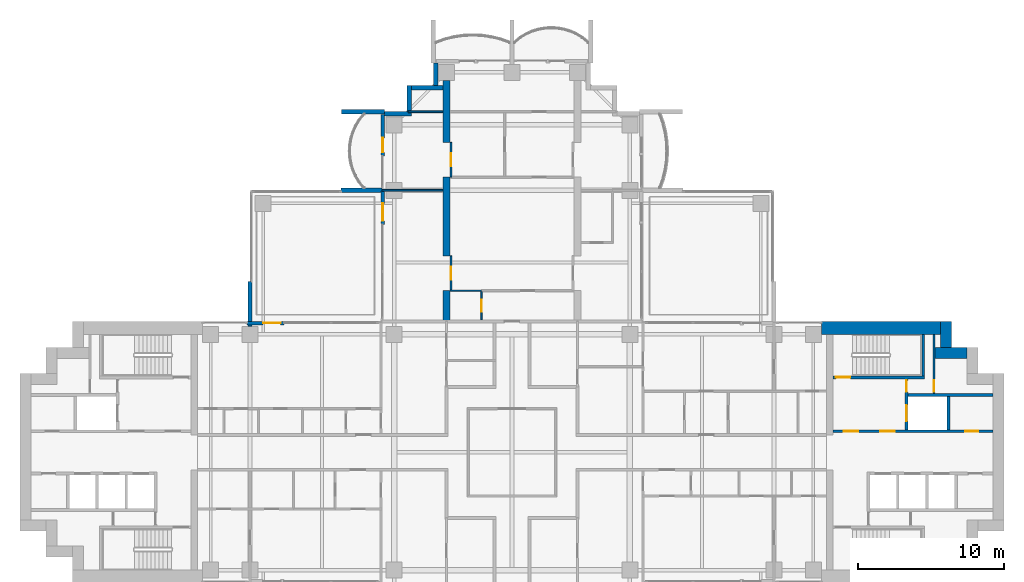
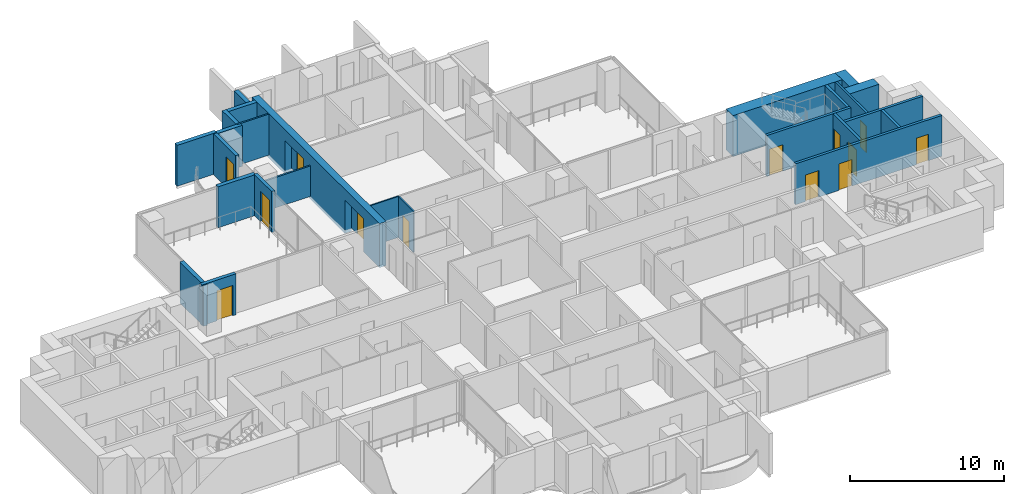
# One storey, part 13 of 18: 27 walls, 13 doors, 13 openings.
"""IFC4 building model written with IfcOpenShell, lengths in metres."""

from ifc_helpers import new_model, si_unit, direction, frame, frame_2d, origin, place, context, subcontext, project, spatial, polyline, rectangle, outline, extrude, material, layer, layer_set, material_profile, profile_set, type_object, element, fill, save


model = new_model("IFC4")

# Units and contexts
model_context = context("Model", 3, precision=1e-05, world=origin(), true_north=direction((0.0, 1.0)))
body_context = subcontext(model_context, "Body", "Model", "MODEL_VIEW")
ifc_project = project(units=[si_unit("LENGTHUNIT", "METRE"), si_unit("AREAUNIT", "SQUARE_METRE"), si_unit("VOLUMEUNIT", "CUBIC_METRE"), si_unit("PLANEANGLEUNIT", "RADIAN"), si_unit("MASSUNIT", "GRAM", prefix="KILO")], contexts=[model_context])

# Site, building, storey
site_placement = place(None, origin())
site = spatial("IfcSite", under=ifc_project, at=site_placement, CompositionType="ELEMENT")
building_placement = place(site_placement, origin())
building = spatial("IfcBuilding", under=site, at=building_placement, Name="Perihelion Cross Residences", CompositionType="ELEMENT")
storey_placement = place(building_placement, frame((0.0, 0.0, 123.39990234375)))
storey = spatial("IfcBuildingStorey", under=building, at=storey_placement, Name="L29", CompositionType="ELEMENT", Elevation=123.39990234375)

# Wall, opening, door
ifc_material_1 = material(Name="Concrete C30/37, bronze-clad", Category="concrete")
ifc_layer_1 = layer(ifc_material_1, 0.25)
ifc_layer_set_1 = layer_set([ifc_layer_1], Name="Bronze-clad pier wall 250")
wall_type_1 = type_object("IfcWallType", Name="Bronze-clad pier wall 250", PredefinedType="SOLIDWALL", material=ifc_layer_set_1)
wall_1_placement = place(storey_placement, frame((-8.875, 23.199951171875, 0.0), z_axis=(0.0, 0.0, 1.0), x_axis=(0.0, -1.0, 0.0)))
wall_1 = element("IfcWall", 1, at=wall_1_placement, inside=storey, type_object=wall_type_1, Name="Wall FW1 L29 north side west bay 1 pier", PredefinedType="SOLIDWALL", context=body_context, shape_type="SweptSolid", body=[
    extrude(rectangle(XDim=2.849853515625, YDim=0.25, at=frame_2d((1.4248046875, 0.0))), origin(), (0.0, 0.0, 1.0), 3.25),
])
opening_1_placement = place(wall_1_placement, frame((1.60009765625, 0.0, 0.0)))
opening_1 = element("IfcOpeningElement", 2, at=opening_1_placement, cuts=wall_1, Name="Opening L29.E06", PredefinedType="OPENING", context=body_context, shape_type="SweptSolid", body=[
    extrude(rectangle(XDim=1.0, YDim=2.39990234375, at=frame_2d((0.5, 1.199951171875))), frame((0.0, 0.135009765625, 0.0), z_axis=(0.0, -1.0, 0.0), x_axis=(1.0, 0.0, 0.0)), (0.0, 0.0, 1.0), 0.27001953125),
])
ifc_material_2 = material(Name="Bronze anodised aluminium, glazed", Category="aluminium")
door_type_1 = type_object("IfcDoorType", Name="Balcony door 1000 x 2400", OperationType="NOTDEFINED", PredefinedType="DOOR", material=ifc_material_2)
door_1_placement = place(opening_1_placement, origin())
door_1 = element("IfcDoor", 3, at=door_1_placement, inside=storey, type_object=door_type_1, Name="Door L29.E06 north side west bay 1", OperationType="SINGLE_SWING_LEFT", OverallHeight=2.39990234375, OverallWidth=1.0, PredefinedType="DOOR", context=body_context, shape_type="SweptSolid", body=[
    extrude(rectangle(XDim=1.0, YDim=2.39990234375, at=frame_2d((0.5, 1.199951171875))), frame((0.0, 0.02490234375, 0.0), z_axis=(0.0, -1.0, 0.0), x_axis=(1.0, 0.0, 0.0)), (0.0, 0.0, 1.0), 0.050048828125),
])
fill(opening_1, door_1)

wall_2_placement = place(storey_placement, frame((-8.875, 17.93994140625, 0.0), z_axis=(0.0, 0.0, 1.0), x_axis=(0.0, -1.0, 0.0)))
wall_2 = element("IfcWall", 4, at=wall_2_placement, inside=storey, type_object=wall_type_1, Name="Wall FW1 L29 north side west bay 2 pier", PredefinedType="SOLIDWALL", context=body_context, shape_type="SweptSolid", body=[
    extrude(rectangle(XDim=2.2900390625, YDim=0.25, at=frame_2d((1.14501953125, 0.0))), origin(), (0.0, 0.0, 1.0), 3.25),
])
opening_2_placement = place(wall_2_placement, frame((0.840087890625, 0.0, 0.0)))
opening_2 = element("IfcOpeningElement", 5, at=opening_2_placement, cuts=wall_2, Name="Opening L29.E07", PredefinedType="OPENING", context=body_context, shape_type="SweptSolid", body=[
    extrude(rectangle(XDim=1.199951171875, YDim=2.39990234375, at=frame_2d((0.60009765625, 1.199951171875))), frame((0.0, 0.135009765625, 0.0), z_axis=(0.0, -1.0, 0.0), x_axis=(1.0, 0.0, 0.0)), (0.0, 0.0, 1.0), 0.27001953125),
])
ifc_material_3 = material(Name="Bronze anodised aluminium, glazed", Category="aluminium")
door_type_2 = type_object("IfcDoorType", Name="Balcony door 1200 x 2400", OperationType="NOTDEFINED", PredefinedType="DOOR", material=ifc_material_3)
door_2_placement = place(opening_2_placement, origin())
door_2 = element("IfcDoor", 6, at=door_2_placement, inside=storey, type_object=door_type_2, Name="Door L29.E07 north side west bay 2", OperationType="SINGLE_SWING_RIGHT", OverallHeight=2.39990234375, OverallWidth=1.199951171875, PredefinedType="DOOR", context=body_context, shape_type="SweptSolid", body=[
    extrude(rectangle(XDim=1.199951171875, YDim=2.39990234375, at=frame_2d((0.60009765625, 1.199951171875))), frame((0.0, 0.02490234375, 0.0), z_axis=(0.0, -1.0, 0.0), x_axis=(1.0, 0.0, 0.0)), (0.0, 0.0, 1.0), 0.050048828125),
])
fill(opening_2, door_2)

wall_3_placement = place(storey_placement, frame((-15.64990234375, 8.875, 0.0), z_axis=(0.0, 0.0, 1.0), x_axis=(-1.0, 0.0, 0.0)))
wall_3 = element("IfcWall", 7, at=wall_3_placement, inside=storey, type_object=wall_type_1, Name="Wall FW1 L29 west side north bay 1 pier", PredefinedType="SOLIDWALL", context=body_context, shape_type="SweptSolid", body=[
    extrude(rectangle(XDim=2.550048828125, YDim=0.25, at=frame_2d((1.27490234375, 0.0))), origin(), (0.0, 0.0, 1.0), 3.25),
])
opening_3_placement = place(wall_3_placement, frame((0.25, 0.0, 0.0)))
opening_3 = element("IfcOpeningElement", 8, at=opening_3_placement, cuts=wall_3, Name="Opening L29.E08", PredefinedType="OPENING", context=body_context, shape_type="SweptSolid", body=[
    extrude(rectangle(XDim=1.199951171875, YDim=2.39990234375, at=frame_2d((0.60009765625, 1.199951171875))), frame((0.0, 0.135009765625, 0.0), z_axis=(0.0, -1.0, 0.0), x_axis=(1.0, 0.0, 0.0)), (0.0, 0.0, 1.0), 0.27001953125),
])
door_3_placement = place(opening_3_placement, origin())
door_3 = element("IfcDoor", 9, at=door_3_placement, inside=storey, type_object=door_type_2, Name="Door L29.E08 west side north bay 1", OperationType="SINGLE_SWING_LEFT", OverallHeight=2.39990234375, OverallWidth=1.199951171875, PredefinedType="DOOR", context=body_context, shape_type="SweptSolid", body=[
    extrude(rectangle(XDim=1.199951171875, YDim=2.39990234375, at=frame_2d((0.60009765625, 1.199951171875))), frame((0.0, 0.02490234375, 0.0), z_axis=(0.0, -1.0, 0.0), x_axis=(1.0, 0.0, 0.0)), (0.0, 0.0, 1.0), 0.050048828125),
])
fill(opening_3, door_3)

# Walls
ifc_material_4 = material(Name="Concrete C30/37, bronze-clad", Category="concrete")
ifc_layer_2 = layer(ifc_material_4, 0.300048828125)
ifc_layer_set_2 = layer_set([ifc_layer_2], Name="Bronze-clad serration wall 300")
wall_type_2 = type_object("IfcWallType", Name="Bronze-clad serration wall 300", PredefinedType="SOLIDWALL", material=ifc_layer_set_2)
wall_4_placement = place(storey_placement, frame((-5.25, 26.75, 0.0), z_axis=(0.0, 0.0, 1.0), x_axis=(0.0, -1.0, 0.0)))
element("IfcWall", 10, at=wall_4_placement, inside=storey, type_object=wall_type_2, Name="Wall SR1 L29 north corner north-west 1", PredefinedType="SOLIDWALL", context=body_context, shape_type="SweptSolid", body=[
    extrude(rectangle(XDim=1.550048828125, YDim=0.300048828125, at=frame_2d((0.77490234375, 0.0))), origin(), (0.0, 0.0, 1.0), 3.25),
])
wall_5_placement = place(storey_placement, frame((-4.75, 25.050048828125, 0.0), z_axis=(0.0, 0.0, 1.0), x_axis=(-1.0, 0.0, 0.0)))
element("IfcWall", 11, at=wall_5_placement, inside=storey, type_object=wall_type_2, Name="Wall SR1 L29 north corner north-west 2", PredefinedType="SOLIDWALL", context=body_context, shape_type="SweptSolid", body=[
    extrude(rectangle(XDim=2.14990234375, YDim=0.300048828125, at=frame_2d((1.074951171875, 0.0))), origin(), (0.0, 0.0, 1.0), 3.25),
])
wall_6_placement = place(storey_placement, frame((-7.050048828125, 25.199951171875, 0.0), z_axis=(0.0, 0.0, 1.0), x_axis=(0.0, -1.0, 0.0)))
element("IfcWall", 12, at=wall_6_placement, inside=storey, type_object=wall_type_2, Name="Wall SR1 L29 north corner north-west 3", PredefinedType="SOLIDWALL", context=body_context, shape_type="SweptSolid", body=[
    extrude(rectangle(XDim=1.800048828125, YDim=0.300048828125, at=frame_2d((0.89990234375, 0.0))), origin(), (0.0, 0.0, 1.0), 3.25),
])
wall_7_placement = place(storey_placement, frame((-6.89990234375, 23.25, 0.0), z_axis=(0.0, 0.0, 1.0), x_axis=(-1.0, 0.0, 0.0)))
element("IfcWall", 13, at=wall_7_placement, inside=storey, type_object=wall_type_2, Name="Wall SR1 L29 north corner north-west 4", PredefinedType="SOLIDWALL", context=body_context, shape_type="SweptSolid", body=[
    extrude(rectangle(XDim=1.85009765625, YDim=0.300048828125, at=frame_2d((0.925048828125, 0.0))), origin(), (0.0, 0.0, 1.0), 3.25),
])
ifc_material_5 = material(Name="Concrete C60/75", Category="concrete")
ifc_layer_3 = layer(ifc_material_5, 0.75)
ifc_layer_set_3 = layer_set([ifc_layer_3], Name="Core wall, outer 750")
wall_type_3 = type_object("IfcWallType", Name="Core wall, outer 750", PredefinedType="SHEAR", material=ifc_layer_set_3)
wall_8_placement = place(storey_placement, frame((29.074951171875, 6.824951171875, 0.0), z_axis=(0.0, 0.0, 1.0), x_axis=(1.0, 0.0, 0.0)))
element("IfcWall", 14, at=wall_8_placement, inside=storey, type_object=wall_type_3, Name="East core core wall, outer", PredefinedType="SHEAR", context=body_context, shape_type="SweptSolid", body=[
    extrude(rectangle(XDim=2.175048828125, YDim=0.75, at=frame_2d((1.08740234375, 0.0))), origin(), (0.0, 0.0, 1.0), 3.25),
])
wall_9_placement = place(storey_placement, frame((29.824951171875, 7.199951171875, 0.0), z_axis=(0.0, 0.0, 1.0), x_axis=(0.0, 1.0, 0.0)))
element("IfcWall", 15, at=wall_9_placement, inside=storey, type_object=wall_type_3, Name="East core core wall, outer", PredefinedType="SHEAR", context=body_context, shape_type="SweptSolid", body=[
    extrude(rectangle(XDim=1.800048828125, YDim=0.75, at=frame_2d((0.89990234375, 0.0))), origin(), (0.0, 0.0, 1.0), 3.25),
])
ifc_material_6 = material(Name="Concrete C60/75", Category="concrete")
ifc_layer_4 = layer(ifc_material_6, 0.89990234375)
ifc_layer_set_4 = layer_set([ifc_layer_4], Name="Core wall, outer 900")
wall_type_4 = type_object("IfcWallType", Name="Core wall, outer 900", PredefinedType="SHEAR", material=ifc_layer_set_4)
wall_10_placement = place(storey_placement, frame((21.25, 8.550048828125, 0.0), z_axis=(0.0, 0.0, 1.0), x_axis=(1.0, 0.0, 0.0)))
element("IfcWall", 16, at=wall_10_placement, inside=storey, type_object=wall_type_4, Name="East core core wall, outer", PredefinedType="SHEAR", context=body_context, shape_type="SweptSolid", body=[
    extrude(rectangle(XDim=8.199951171875, YDim=0.89990234375, at=frame_2d((4.10009765625, 0.0))), origin(), (0.0, 0.0, 1.0), 3.25),
])

# Wall, opening, door
ifc_material_7 = material(Name="Plasterboard partition")
ifc_layer_5 = layer(ifc_material_7, 0.1201171875)
ifc_layer_set_5 = layer_set([ifc_layer_5], Name="Infill panel 120")
wall_type_5 = type_object("IfcWallType", Name="Infill panel 120", PredefinedType="PARTITIONING", material=ifc_layer_set_5)
wall_11_placement = place(storey_placement, frame((-4.18994140625, 11.10009765625, 0.0), z_axis=(0.0, 0.0, 1.0), x_axis=(0.0, 1.0, 0.0)))
wall_11 = element("IfcWall", 17, at=wall_11_placement, inside=storey, type_object=wall_type_5, Name="Partition L29 WI03", PredefinedType="PARTITIONING", context=body_context, shape_type="SweptSolid", body=[
    extrude(rectangle(XDim=2.39990234375, YDim=0.1201171875, at=frame_2d((1.199951171875, 0.0))), origin(), (0.0, 0.0, 1.0), 2.400146484375),
])
opening_4_placement = place(wall_11_placement, frame((0.75, 0.0, 0.0)))
opening_4 = element("IfcOpeningElement", 18, at=opening_4_placement, cuts=wall_11, Name="Opening L29.A51", PredefinedType="OPENING", context=body_context, shape_type="SweptSolid", body=[
    extrude(rectangle(XDim=0.89990234375, YDim=2.10009765625, at=frame_2d((0.449951171875, 1.050048828125))), frame((0.0, 0.070068359375, 0.0), z_axis=(0.0, -1.0, 0.0), x_axis=(1.0, 0.0, 0.0)), (0.0, 0.0, 1.0), 0.14013671875),
])
ifc_material_8 = material(Name="Timber door leaf", Category="wood")
door_type_3 = type_object("IfcDoorType", Name="Interior room door 900 x 2100", OperationType="SINGLE_SWING_LEFT", PredefinedType="DOOR", material=ifc_material_8)
door_4_placement = place(opening_4_placement, origin())
door_4 = element("IfcDoor", 19, at=door_4_placement, inside=storey, type_object=door_type_3, Name="Door L29.A51", OperationType="SINGLE_SWING_RIGHT", OverallHeight=2.10009765625, OverallWidth=0.89990234375, PredefinedType="DOOR", context=body_context, shape_type="SweptSolid", body=[
    extrude(rectangle(XDim=0.89990234375, YDim=2.10009765625, at=frame_2d((0.449951171875, 1.050048828125))), frame((0.0, 0.02490234375, 0.0), z_axis=(0.0, -1.0, 0.0), x_axis=(1.0, 0.0, 0.0)), (0.0, 0.0, 1.0), 0.050048828125),
])
fill(opening_4, door_4)

wall_12_placement = place(storey_placement, frame((-4.18994140625, 18.89990234375, 0.0), z_axis=(0.0, 0.0, 1.0), x_axis=(0.0, 1.0, 0.0)))
wall_12 = element("IfcWall", 20, at=wall_12_placement, inside=storey, type_object=wall_type_5, Name="Partition L29 WI04", PredefinedType="PARTITIONING", context=body_context, shape_type="SweptSolid", body=[
    extrude(rectangle(XDim=2.400146484375, YDim=0.1201171875, at=frame_2d((1.2001953125, 0.0))), origin(), (0.0, 0.0, 1.0), 2.400146484375),
])
opening_5_placement = place(wall_12_placement, frame((0.75, 0.0, 0.0)))
opening_5 = element("IfcOpeningElement", 21, at=opening_5_placement, cuts=wall_12, Name="Opening L29.A52", PredefinedType="OPENING", context=body_context, shape_type="SweptSolid", body=[
    extrude(rectangle(XDim=0.89990234375, YDim=2.10009765625, at=frame_2d((0.449951171875, 1.050048828125))), frame((0.0, 0.070068359375, 0.0), z_axis=(0.0, -1.0, 0.0), x_axis=(1.0, 0.0, 0.0)), (0.0, 0.0, 1.0), 0.14013671875),
])
door_5_placement = place(opening_5_placement, origin())
door_5 = element("IfcDoor", 22, at=door_5_placement, inside=storey, type_object=door_type_3, Name="Door L29.A52", OperationType="SINGLE_SWING_LEFT", OverallHeight=2.10009765625, OverallWidth=0.89990234375, PredefinedType="DOOR", context=body_context, shape_type="SweptSolid", body=[
    extrude(rectangle(XDim=0.89990234375, YDim=2.10009765625, at=frame_2d((0.449951171875, 1.050048828125))), frame((0.0, 0.02490234375, 0.0), z_axis=(0.0, -1.0, 0.0), x_axis=(1.0, 0.0, 0.0)), (0.0, 0.0, 1.0), 0.050048828125),
])
fill(opening_5, door_5)

# Walls
ifc_material_9 = material(Name="Plasterboard partition")
ifc_layer_6 = layer(ifc_material_9, 0.1201171875)
ifc_layer_set_6 = layer_set([ifc_layer_6], Name="Partition wall 120")
wall_type_6 = type_object("IfcWallType", Name="Partition wall 120", PredefinedType="PARTITIONING", material=ifc_layer_set_6)
wall_13_placement = place(storey_placement, frame((-8.919921875, 18.0, 0.0), z_axis=(0.0, 0.0, 1.0), x_axis=(1.0, 0.0, 0.0)))
element("IfcWall", 23, at=wall_13_placement, inside=storey, type_object=wall_type_6, Name="Partition L29 W072", PredefinedType="PARTITIONING", context=body_context, shape_type="SweptSolid", body=[
    extrude(rectangle(XDim=4.169921875, YDim=0.1201171875, at=frame_2d((2.0849609375, 0.0))), origin(), (0.0, 0.0, 1.0), 2.4140625),
])
wall_14_placement = place(storey_placement, frame((-7.1201171875, 23.39990234375, 0.0), z_axis=(0.0, 0.0, 1.0), x_axis=(1.0, 0.0, 0.0)))
element("IfcWall", 24, at=wall_14_placement, inside=storey, type_object=wall_type_6, Name="Partition L29 W073", PredefinedType="PARTITIONING", context=body_context, shape_type="SweptSolid", body=[
    extrude(rectangle(XDim=2.3701171875, YDim=0.1201171875, at=frame_2d((1.18505859375, 0.0))), origin(), (0.0, 0.0, 1.0), 3.25),
])
ifc_material_10 = material(Name="Precast concrete C50/60", Category="concrete")
ifc_layer_7 = layer(ifc_material_10, 0.300048828125)
ifc_layer_set_7 = layer_set([ifc_layer_7], Name="Precast concrete C50/60 blade wall 300")
wall_type_7 = type_object("IfcWallType", Name="Precast concrete C50/60 blade wall 300", PredefinedType="SOLIDWALL", material=ifc_layer_set_7)
wall_15_placement = place(storey_placement, frame((-18.0, 8.64990234375, 0.0), z_axis=(0.0, 0.0, 1.0), x_axis=(0.0, 1.0, 0.0)))
element("IfcWall", 25, at=wall_15_placement, inside=storey, type_object=wall_type_7, Name="Wall BL1 L29 no. 2", PredefinedType="SOLIDWALL", context=body_context, shape_type="SweptSolid", body=[
    extrude(rectangle(XDim=3.090087890625, YDim=0.300048828125, at=frame_2d((1.544921875, 0.0))), origin(), (0.0, 0.0, 1.0), 3.25),
])
wall_16_placement = place(storey_placement, frame((-8.919921875, 18.0, 0.0), z_axis=(0.0, 0.0, 1.0), x_axis=(-1.0, 0.0, 0.0)))
element("IfcWall", 26, at=wall_16_placement, inside=storey, type_object=wall_type_7, Name="Wall BL1 L29 no. 6", PredefinedType="SOLIDWALL", context=body_context, shape_type="SweptSolid", body=[
    extrude(rectangle(XDim=2.820068359375, YDim=0.300048828125, at=frame_2d((1.41015625, 0.0))), origin(), (0.0, 0.0, 1.0), 3.25),
])
wall_17_placement = place(storey_placement, frame((-8.75, 23.39990234375, 0.0), z_axis=(0.0, 0.0, 1.0), x_axis=(-1.0, 0.0, 0.0)))
element("IfcWall", 27, at=wall_17_placement, inside=storey, type_object=wall_type_7, Name="Wall BL1 L29 no. 7", PredefinedType="SOLIDWALL", context=body_context, shape_type="SweptSolid", body=[
    extrude(rectangle(XDim=2.949951171875, YDim=0.300048828125, at=frame_2d((1.47509765625, 0.0))), origin(), (0.0, 0.0, 1.0), 3.25),
])

# Wall, opening, door
ifc_material_11 = material(Name="Fire-rated board on steel stud", Category="steel")
ifc_layer_8 = layer(ifc_material_11, 0.14990234375)
ifc_layer_set_8 = layer_set([ifc_layer_8], Name="Riser wall 150")
wall_type_8 = type_object("IfcWallType", Name="Riser wall 150", PredefinedType="PARTITIONING", material=ifc_layer_set_8)
wall_18_placement = place(storey_placement, frame((29.0, 4.050048828125, 0.0), z_axis=(0.0, 0.0, 1.0), x_axis=(0.0, 1.0, 0.0)))
wall_18 = element("IfcWall", 28, at=wall_18_placement, inside=storey, type_object=wall_type_8, Name="East core riser wall", PredefinedType="PARTITIONING", context=body_context, shape_type="SweptSolid", body=[
    extrude(rectangle(XDim=4.050048828125, YDim=0.14990234375, at=frame_2d((2.02490234375, 0.0))), origin(), (0.0, 0.0, 1.0), 3.25),
])
opening_6_placement = place(wall_18_placement, frame((0.10009765625, 0.0, 0.0)))
opening_6 = element("IfcOpeningElement", 29, at=opening_6_placement, cuts=wall_18, Name="Opening L29.C12", PredefinedType="OPENING", context=body_context, shape_type="SweptSolid", body=[
    extrude(rectangle(XDim=0.800048828125, YDim=2.10009765625, at=frame_2d((0.39990234375, 1.050048828125))), frame((0.0, 0.0849609375, 0.0), z_axis=(0.0, -1.0, 0.0), x_axis=(1.0, 0.0, 0.0)), (0.0, 0.0, 1.0), 0.169921875),
])
ifc_material_12 = material(Name="Steel, powder coated", Category="steel")
door_type_4 = type_object("IfcDoorType", Name="Riser door 800", OperationType="SINGLE_SWING_LEFT", PredefinedType="DOOR", material=ifc_material_12)
door_6_placement = place(opening_6_placement, origin())
door_6 = element("IfcDoor", 30, at=door_6_placement, inside=storey, type_object=door_type_4, Name="East core riser door", OperationType="SINGLE_SWING_LEFT", OverallHeight=2.10009765625, OverallWidth=0.800048828125, PredefinedType="DOOR", context=body_context, shape_type="SweptSolid", body=[
    extrude(rectangle(XDim=0.800048828125, YDim=2.10009765625, at=frame_2d((0.39990234375, 1.050048828125))), frame((0.0, 0.02490234375, 0.0), z_axis=(0.0, -1.0, 0.0), x_axis=(1.0, 0.0, 0.0)), (0.0, 0.0, 1.0), 0.050048828125),
])
fill(opening_6, door_6)

# Wall, openings, doors
ifc_material_13 = material(Name="Concrete C50/60", Category="concrete")
ifc_layer_9 = layer(ifc_material_13, 0.199951171875)
ifc_layer_set_9 = layer_set([ifc_layer_9], Name="Shaft wall 200")
wall_type_9 = type_object("IfcWallType", Name="Shaft wall 200", PredefinedType="SOLIDWALL", material=ifc_layer_set_9)
wall_19_placement = place(storey_placement, frame((22.050048828125, 1.449951171875, 0.0), z_axis=(0.0, 0.0, 1.0), x_axis=(1.0, 0.0, 0.0)))
wall_19 = element("IfcWall", 31, at=wall_19_placement, inside=storey, type_object=wall_type_9, Name="East core shaft wall", PredefinedType="SOLIDWALL", context=body_context, shape_type="SweptSolid", body=[
    extrude(rectangle(XDim=11.0, YDim=0.199951171875, at=frame_2d((5.5, 0.0))), origin(), (0.0, 0.0, 1.0), 3.25),
])
opening_7_placement = place(wall_19_placement, frame((0.75, 0.0, 0.0)))
opening_7 = element("IfcOpeningElement", 32, at=opening_7_placement, cuts=wall_19, Name="Opening L29.C07", PredefinedType="OPENING", context=body_context, shape_type="SweptSolid", body=[
    extrude(rectangle(XDim=1.0, YDim=2.10009765625, at=frame_2d((0.5, 1.050048828125))), frame((0.0, 0.10986328125, 0.0), z_axis=(0.0, -1.0, 0.0), x_axis=(1.0, 0.0, 0.0)), (0.0, 0.0, 1.0), 0.219970703125),
])
opening_8_placement = place(wall_19_placement, frame((3.25, 0.0, 0.0)))
opening_8 = element("IfcOpeningElement", 33, at=opening_8_placement, cuts=wall_19, Name="Opening L29.C09", PredefinedType="OPENING", context=body_context, shape_type="SweptSolid", body=[
    extrude(rectangle(XDim=1.0, YDim=2.10009765625, at=frame_2d((0.5, 1.050048828125))), frame((0.0, 0.10986328125, 0.0), z_axis=(0.0, -1.0, 0.0), x_axis=(1.0, 0.0, 0.0)), (0.0, 0.0, 1.0), 0.219970703125),
])
opening_9_placement = place(wall_19_placement, frame((9.074951171875, 0.0, 0.0)))
opening_9 = element("IfcOpeningElement", 34, at=opening_9_placement, cuts=wall_19, Name="Opening L29.C13", PredefinedType="OPENING", context=body_context, shape_type="SweptSolid", body=[
    extrude(rectangle(XDim=0.89990234375, YDim=2.10009765625, at=frame_2d((0.449951171875, 1.050048828125))), frame((0.0, 0.10986328125, 0.0), z_axis=(0.0, -1.0, 0.0), x_axis=(1.0, 0.0, 0.0)), (0.0, 0.0, 1.0), 0.219970703125),
])
ifc_material_14 = material(Name="Steel, powder coated", Category="steel")
door_type_5 = type_object("IfcDoorType", Name="Lobby door 1000", OperationType="SINGLE_SWING_LEFT", PredefinedType="DOOR", material=ifc_material_14)
door_7_placement = place(opening_7_placement, origin())
door_7 = element("IfcDoor", 35, at=door_7_placement, inside=storey, type_object=door_type_5, Name="East core firefighting lobby door", OperationType="SINGLE_SWING_LEFT", OverallHeight=2.10009765625, OverallWidth=1.0, PredefinedType="DOOR", context=body_context, shape_type="SweptSolid", body=[
    extrude(rectangle(XDim=1.0, YDim=2.10009765625, at=frame_2d((0.5, 1.050048828125))), frame((0.0, 0.02490234375, 0.0), z_axis=(0.0, -1.0, 0.0), x_axis=(1.0, 0.0, 0.0)), (0.0, 0.0, 1.0), 0.050048828125),
])
fill(opening_7, door_7)
door_8_placement = place(opening_8_placement, origin())
door_8 = element("IfcDoor", 36, at=door_8_placement, inside=storey, type_object=door_type_5, Name="East core firefighting lobby door", OperationType="SINGLE_SWING_LEFT", OverallHeight=2.10009765625, OverallWidth=1.0, PredefinedType="DOOR", context=body_context, shape_type="SweptSolid", body=[
    extrude(rectangle(XDim=1.0, YDim=2.10009765625, at=frame_2d((0.5, 1.050048828125))), frame((0.0, 0.02490234375, 0.0), z_axis=(0.0, -1.0, 0.0), x_axis=(1.0, 0.0, 0.0)), (0.0, 0.0, 1.0), 0.050048828125),
])
fill(opening_8, door_8)
ifc_material_15 = material(Name="Steel, powder coated", Category="steel")
door_type_6 = type_object("IfcDoorType", Name="Service room door 900", OperationType="SINGLE_SWING_LEFT", PredefinedType="DOOR", material=ifc_material_15)
door_9_placement = place(opening_9_placement, origin())
door_9 = element("IfcDoor", 37, at=door_9_placement, inside=storey, type_object=door_type_6, Name="East core service room door", OperationType="SINGLE_SWING_LEFT", OverallHeight=2.10009765625, OverallWidth=0.89990234375, PredefinedType="DOOR", context=body_context, shape_type="SweptSolid", body=[
    extrude(rectangle(XDim=0.89990234375, YDim=2.10009765625, at=frame_2d((0.449951171875, 1.050048828125))), frame((0.0, 0.02490234375, 0.0), z_axis=(0.0, -1.0, 0.0), x_axis=(1.0, 0.0, 0.0)), (0.0, 0.0, 1.0), 0.050048828125),
])
fill(opening_9, door_9)

# Wall
wall_20_placement = place(storey_placement, frame((27.199951171875, 3.949951171875, 0.0), z_axis=(0.0, 0.0, 1.0), x_axis=(1.0, 0.0, 0.0)))
element("IfcWall", 38, at=wall_20_placement, inside=storey, type_object=wall_type_9, Name="East core shaft wall", PredefinedType="SOLIDWALL", context=body_context, shape_type="SweptSolid", body=[
    extrude(rectangle(XDim=5.85009765625, YDim=0.199951171875, at=frame_2d((2.925048828125, 0.0))), origin(), (0.0, 0.0, 1.0), 3.25),
])

# Wall, openings, doors
wall_21_placement = place(storey_placement, frame((27.10009765625, 1.550048828125, 0.0), z_axis=(0.0, 0.0, 1.0), x_axis=(0.0, 1.0, 0.0)))
wall_21 = element("IfcWall", 39, at=wall_21_placement, inside=storey, type_object=wall_type_9, Name="East core shaft wall", PredefinedType="SOLIDWALL", context=body_context, shape_type="SweptSolid", body=[
    extrude(rectangle(XDim=3.5, YDim=0.199951171875, at=frame_2d((1.75, 0.0))), origin(), (0.0, 0.0, 1.0), 3.25),
])
opening_10_placement = place(wall_21_placement, frame((0.60009765625, 0.0, 0.0)))
opening_10 = element("IfcOpeningElement", 40, at=opening_10_placement, cuts=wall_21, Name="Opening L29.C02", PredefinedType="OPENING", context=body_context, shape_type="SweptSolid", body=[
    extrude(rectangle(XDim=1.10009765625, YDim=2.10009765625, at=frame_2d((0.550048828125, 1.050048828125))), frame((0.0, 0.10986328125, 0.0), z_axis=(0.0, -1.0, 0.0), x_axis=(1.0, 0.0, 0.0)), (0.0, 0.0, 1.0), 0.219970703125),
])
opening_11_placement = place(wall_21_placement, frame((2.60009765625, 0.0, 0.0)))
opening_11 = element("IfcOpeningElement", 41, at=opening_11_placement, cuts=wall_21, Name="Opening L29.C10", PredefinedType="OPENING", context=body_context, shape_type="SweptSolid", body=[
    extrude(rectangle(XDim=0.800048828125, YDim=2.10009765625, at=frame_2d((0.39990234375, 1.050048828125))), frame((0.0, 0.10986328125, 0.0), z_axis=(0.0, -1.0, 0.0), x_axis=(1.0, 0.0, 0.0)), (0.0, 0.0, 1.0), 0.219970703125),
])
ifc_material_16 = material(Name="Stainless steel", Category="steel")
door_type_7 = type_object("IfcDoorType", Name="Landing door, firefighting lift 1100", OperationType="DOUBLE_DOOR_SLIDING", PredefinedType="DOOR", material=ifc_material_16)
door_10_placement = place(opening_10_placement, origin())
door_10 = element("IfcDoor", 42, at=door_10_placement, inside=storey, type_object=door_type_7, Name="Landing door, East core firefighting and service lift", OperationType="DOUBLE_DOOR_SLIDING", OverallHeight=2.10009765625, OverallWidth=1.10009765625, PredefinedType="DOOR", context=body_context, shape_type="SweptSolid", body=[
    extrude(rectangle(XDim=1.10009765625, YDim=2.10009765625, at=frame_2d((0.550048828125, 1.050048828125))), frame((0.0, 0.02490234375, 0.0), z_axis=(0.0, -1.0, 0.0), x_axis=(1.0, 0.0, 0.0)), (0.0, 0.0, 1.0), 0.050048828125),
])
fill(opening_10, door_10)
door_11_placement = place(opening_11_placement, origin())
door_11 = element("IfcDoor", 43, at=door_11_placement, inside=storey, type_object=door_type_4, Name="East core riser door", OperationType="SINGLE_SWING_LEFT", OverallHeight=2.10009765625, OverallWidth=0.800048828125, PredefinedType="DOOR", context=body_context, shape_type="SweptSolid", body=[
    extrude(rectangle(XDim=0.800048828125, YDim=2.10009765625, at=frame_2d((0.39990234375, 1.050048828125))), frame((0.0, 0.02490234375, 0.0), z_axis=(0.0, -1.0, 0.0), x_axis=(1.0, 0.0, 0.0)), (0.0, 0.0, 1.0), 0.050048828125),
])
fill(opening_11, door_11)

# Wall
wall_22_placement = place(storey_placement, frame((30.0, 1.550048828125, 0.0), z_axis=(0.0, 0.0, 1.0), x_axis=(0.0, 1.0, 0.0)))
element("IfcWall", 44, at=wall_22_placement, inside=storey, type_object=wall_type_9, Name="East core shaft wall", PredefinedType="SOLIDWALL", context=body_context, shape_type="SweptSolid", body=[
    extrude(rectangle(XDim=2.300048828125, YDim=0.199951171875, at=frame_2d((1.14990234375, 0.0))), origin(), (0.0, 0.0, 1.0), 3.25),
])

# Wall, opening, door
ifc_material_17 = material(Name="Concrete C50/60", Category="concrete")
ifc_layer_10 = layer(ifc_material_17, 0.199951171875)
ifc_layer_set_10 = layer_set([ifc_layer_10], Name="Stair wall 200")
wall_type_10 = type_object("IfcWallType", Name="Stair wall 200", PredefinedType="SOLIDWALL", material=ifc_layer_set_10)
wall_23_placement = place(storey_placement, frame((22.050048828125, 5.14990234375, 0.0), z_axis=(0.0, 0.0, 1.0), x_axis=(1.0, 0.0, 0.0)))
wall_23 = element("IfcWall", 45, at=wall_23_placement, inside=storey, type_object=wall_type_10, Name="East core stair wall", PredefinedType="SOLIDWALL", context=body_context, shape_type="SweptSolid", body=[
    extrude(rectangle(XDim=6.300048828125, YDim=0.199951171875, at=frame_2d((3.14990234375, 0.0))), origin(), (0.0, 0.0, 1.0), 3.25),
])
opening_12_placement = place(wall_23_placement, frame((0.199951171875, 0.0, 0.0)))
opening_12 = element("IfcOpeningElement", 46, at=opening_12_placement, cuts=wall_23, Name="Opening L29.C06", PredefinedType="OPENING", context=body_context, shape_type="SweptSolid", body=[
    extrude(rectangle(XDim=1.0, YDim=2.10009765625, at=frame_2d((0.5, 1.050048828125))), frame((0.0, 0.10986328125, 0.0), z_axis=(0.0, -1.0, 0.0), x_axis=(1.0, 0.0, 0.0)), (0.0, 0.0, 1.0), 0.219970703125),
])
ifc_material_18 = material(Name="Steel, powder coated", Category="steel")
door_type_8 = type_object("IfcDoorType", Name="Stair door 1000", OperationType="SINGLE_SWING_LEFT", PredefinedType="DOOR", material=ifc_material_18)
door_12_placement = place(opening_12_placement, origin())
door_12 = element("IfcDoor", 47, at=door_12_placement, inside=storey, type_object=door_type_8, Name="East core stair door", OperationType="SINGLE_SWING_LEFT", OverallHeight=2.10009765625, OverallWidth=1.0, PredefinedType="DOOR", context=body_context, shape_type="SweptSolid", body=[
    extrude(rectangle(XDim=1.0, YDim=2.10009765625, at=frame_2d((0.5, 1.050048828125))), frame((0.0, 0.02490234375, 0.0), z_axis=(0.0, -1.0, 0.0), x_axis=(1.0, 0.0, 0.0)), (0.0, 0.0, 1.0), 0.050048828125),
])
fill(opening_12, door_12)

# Walls
wall_24_placement = place(storey_placement, frame((28.25, 5.25, 0.0), z_axis=(0.0, 0.0, 1.0), x_axis=(0.0, 1.0, 0.0)))
element("IfcWall", 48, at=wall_24_placement, inside=storey, type_object=wall_type_10, Name="East core stair wall", PredefinedType="SOLIDWALL", context=body_context, shape_type="SweptSolid", body=[
    extrude(rectangle(XDim=2.85009765625, YDim=0.199951171875, at=frame_2d((1.425048828125, 0.0))), origin(), (0.0, 0.0, 1.0), 3.25),
])
ifc_material_19 = material(Name="Concrete C60/75", Category="concrete")
ifc_material_profile = material_profile(ifc_material_19, outline(polyline([(0.0, 0.0), (2.10009765625, 0.0), (2.10009765625, 2.64990234375), (4.5, 2.64990234375), (4.5, 0.0), (9.89990234375, 0.0), (9.89990234375, 2.64990234375), (12.300048828125, 2.64990234375), (12.300048828125, 0.0), (16.550048828125, 0.0), (16.550048828125, 3.5), (0.0, 3.5), (0.0, 0.0)])), Name="Tip spine wall")
ifc_profile_set = profile_set([ifc_material_profile], Name="Concrete C60/75")
wall_type_11 = type_object("IfcWallType", Name="Tip spine wall 500 with 2 door openings 16550 long 3500 high concrete C60/75", PredefinedType="SHEAR", material=ifc_profile_set)
wall_25_placement = place(storey_placement, frame((-4.75, 9.0, -0.25), z_axis=(1.0, 0.0, 0.0), x_axis=(0.0, 1.0, 0.0)))
element("IfcWall", 49, at=wall_25_placement, inside=storey, type_object=wall_type_11, Name="Shear wall SW34 L29 north west", PredefinedType="SHEAR", context=body_context, shape_type="SweptSolid", body=[
    extrude(outline(polyline([(0.0, 0.0), (2.10009765625, 0.0), (2.10009765625, 2.64990234375), (4.5, 2.64990234375), (4.5, 0.0), (9.89990234375, 0.0), (9.89990234375, 2.64990234375), (12.300048828125, 2.64990234375), (12.300048828125, 0.0), (16.550048828125, 0.0), (16.550048828125, 3.5), (0.0, 3.5), (0.0, 0.0)])), origin(), (0.0, 0.0, 1.0), 0.5),
])

# Wall, opening, door
ifc_material_20 = material(Name="Plasterboard partition")
ifc_layer_11 = layer(ifc_material_20, 0.10009765625)
ifc_layer_set_11 = layer_set([ifc_layer_11], Name="Wet room wall 100")
wall_type_12 = type_object("IfcWallType", Name="Wet room wall 100", PredefinedType="PARTITIONING", material=ifc_layer_set_11)
wall_26_placement = place(storey_placement, frame((-2.10009765625, 9.10009765625, 0.0), z_axis=(0.0, 0.0, 1.0), x_axis=(0.0, 1.0, 0.0)))
wall_26 = element("IfcWall", 50, at=wall_26_placement, inside=storey, type_object=wall_type_12, Name="Partition L29 W061", PredefinedType="PARTITIONING", context=body_context, shape_type="SweptSolid", body=[
    extrude(rectangle(XDim=1.93994140625, YDim=0.10009765625, at=frame_2d((0.969970703125, 0.0))), origin(), (0.0, 0.0, 1.0), 3.25),
])
opening_13_placement = place(wall_26_placement, frame((0.544921875, 0.0, 0.0)))
opening_13 = element("IfcOpeningElement", 51, at=opening_13_placement, cuts=wall_26, Name="Opening L29.A33", PredefinedType="OPENING", context=body_context, shape_type="SweptSolid", body=[
    extrude(rectangle(XDim=0.85009765625, YDim=2.10009765625, at=frame_2d((0.425048828125, 1.050048828125))), frame((0.0, 0.06005859375, 0.0), z_axis=(0.0, -1.0, 0.0), x_axis=(1.0, 0.0, 0.0)), (0.0, 0.0, 1.0), 0.1201171875),
])
ifc_material_21 = material(Name="Timber door leaf", Category="wood")
door_type_9 = type_object("IfcDoorType", Name="Interior bathroom door 850 x 2100", OperationType="SINGLE_SWING_LEFT", PredefinedType="DOOR", material=ifc_material_21)
door_13_placement = place(opening_13_placement, origin())
door_13 = element("IfcDoor", 52, at=door_13_placement, inside=storey, type_object=door_type_9, Name="Door L29.A33", OperationType="SINGLE_SWING_LEFT", OverallHeight=2.10009765625, OverallWidth=0.85009765625, PredefinedType="DOOR", context=body_context, shape_type="SweptSolid", body=[
    extrude(rectangle(XDim=0.85009765625, YDim=2.10009765625, at=frame_2d((0.425048828125, 1.050048828125))), frame((0.0, 0.02490234375, 0.0), z_axis=(0.0, -1.0, 0.0), x_axis=(1.0, 0.0, 0.0)), (0.0, 0.0, 1.0), 0.050048828125),
])
fill(opening_13, door_13)

# Wall
wall_27_placement = place(storey_placement, frame((-4.25, 11.10009765625, 0.0), z_axis=(0.0, 0.0, 1.0), x_axis=(1.0, 0.0, 0.0)))
element("IfcWall", 53, at=wall_27_placement, inside=storey, type_object=wall_type_12, Name="Partition L29 W063", PredefinedType="PARTITIONING", context=body_context, shape_type="SweptSolid", body=[
    extrude(rectangle(XDim=2.14990234375, YDim=0.10009765625, at=frame_2d((1.074951171875, 0.0))), origin(), (0.0, 0.0, 1.0), 3.25),
])

save(model, "model.ifc")
